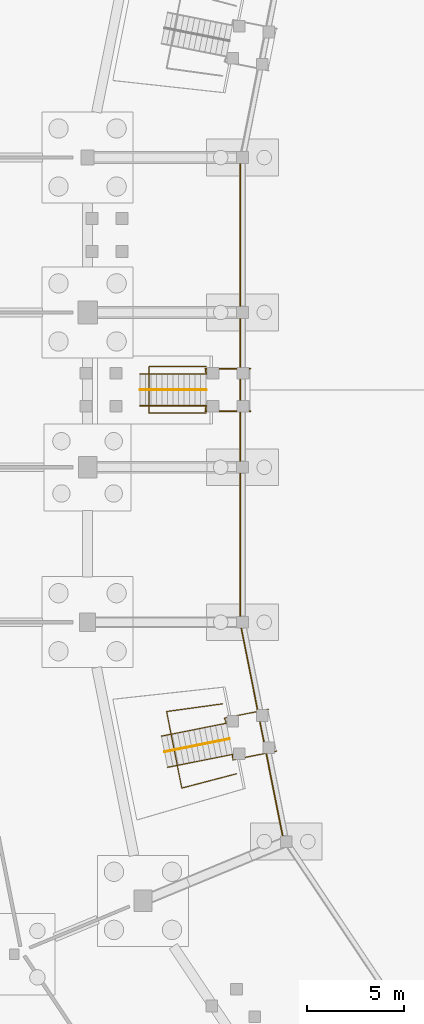
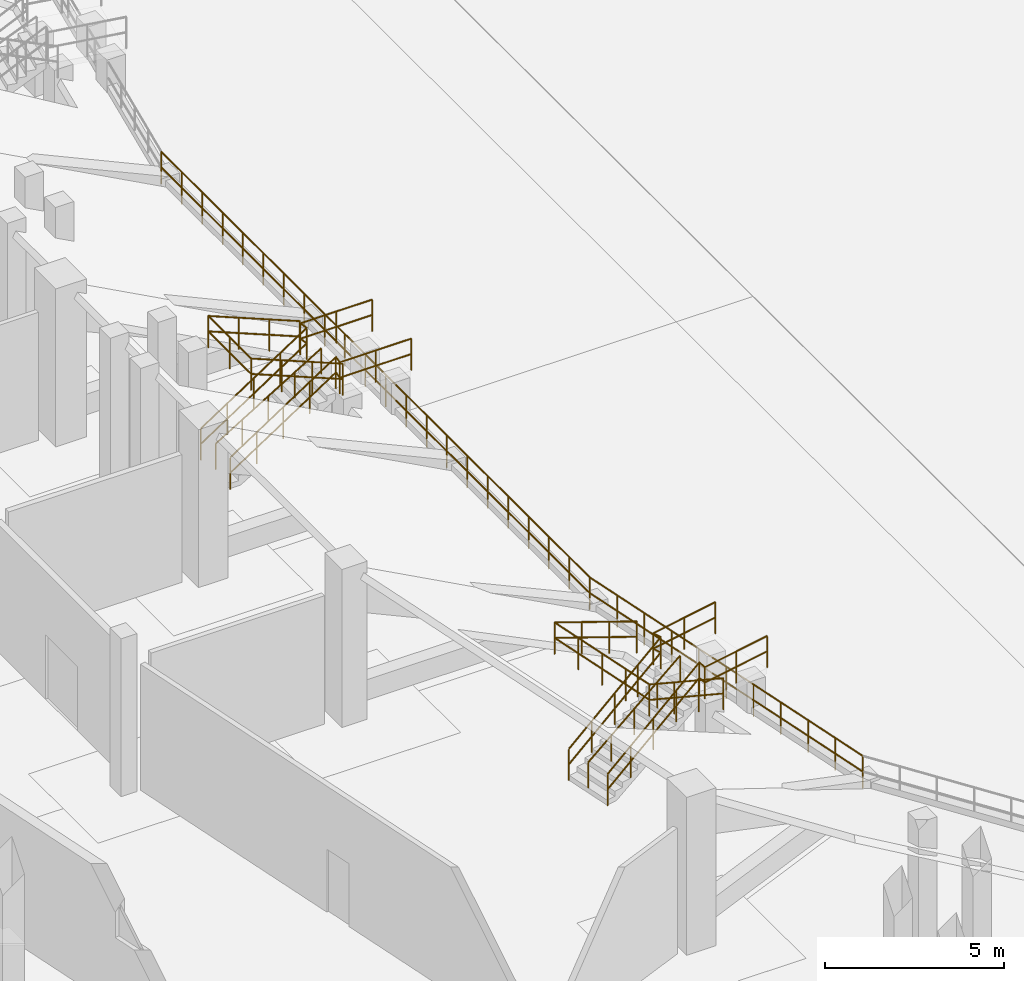
# One storey, part 53 of 68: 12 railings.
"""IFC4 building model written with IfcOpenShell, lengths in metres."""

import ifcopenshell
import ifcopenshell.guid

model = None  # the IFC model being written
_history = None  # IfcOwnerHistory: only IFC2X3 demands one
_inside = {}  # id of a spatial element -> (the spatial element, [elements in it])
_under = {}  # id of a project, library or spatial element -> (it, [spatial elements below it])
_declared = {}  # id of a project -> (the project, [libraries it declares])
_typed = {}  # id of a type object -> (the type object, [elements of that type])
_made_of = {}  # id of a material, layer set ... -> (it, [elements and type objects made of it])


def new_model(schema):
    """Start an empty IFC model of exactly this schema.

    Asked for "IFC4X3", IfcOpenShell would pick the latest addendum, in which some entities
    have other attributes; the version numbers below select the first issue.
    IFC2X3 requires an IfcOwnerHistory on every rooted entity: one is made here for all.
    """
    global model, _history
    if schema == "IFC4X3":
        model = ifcopenshell.file(schema_version=(4, 3, 0, 0))
    else:
        model = ifcopenshell.file(schema=schema)
    _inside.clear()
    _under.clear()
    _declared.clear()
    _typed.clear()
    _made_of.clear()
    _history = None
    if model.schema == "IFC2X3":
        org = make("IfcOrganization", Name="unknown")
        user = make(
            "IfcPersonAndOrganization",
            ThePerson=make("IfcPerson", FamilyName="unknown"),
            TheOrganization=org,
        )
        app = make(
            "IfcApplication",
            ApplicationDeveloper=org,
            Version="unknown",
            ApplicationFullName="unknown",
            ApplicationIdentifier="unknown",
        )
        _history = make(
            "IfcOwnerHistory",
            OwningUser=user,
            OwningApplication=app,
            ChangeAction="ADDED",
            CreationDate=0,
        )
    return model


def make(cls, **values):
    """One entity of the class cls with the attributes given. An attribute that is None is left unset."""
    return model.create_entity(
        cls, **{name: value for name, value in values.items() if value is not None}
    )


def rooted(cls, **values):
    """An entity with a GlobalId (a new one), such as an element, a storey or a relation."""
    return make(cls, GlobalId=ifcopenshell.guid.new(), OwnerHistory=_history, **values)


def si_unit(unit_type, name, prefix=None):
    """IfcSIUnit, for example si_unit("LENGTHUNIT", "METRE", prefix="MILLI")."""
    return make("IfcSIUnit", UnitType=unit_type, Prefix=prefix, Name=name)


def assignment(units):
    """IfcUnitAssignment: the units of a project."""
    return None if units is None else make("IfcUnitAssignment", Units=units)


def point(xyz):
    """IfcCartesianPoint."""
    return None if xyz is None else make("IfcCartesianPoint", Coordinates=xyz)


def direction(xyz):
    """IfcDirection."""
    return None if xyz is None else make("IfcDirection", DirectionRatios=xyz)


def frame(location, z_axis=None, x_axis=None):
    """IfcAxis2Placement3D, a coordinate frame: its origin and axes. An axis left out is left unset."""
    return make(
        "IfcAxis2Placement3D",
        Location=point(location),
        Axis=direction(z_axis),
        RefDirection=direction(x_axis),
    )


def frame_2d(location, x_axis=None):
    """IfcAxis2Placement2D, a coordinate frame in the plane: its origin and x axis."""
    return make(
        "IfcAxis2Placement2D", Location=point(location), RefDirection=direction(x_axis)
    )


def origin():
    """The frame at (0, 0, 0) with its axes left unset."""
    return frame((0.0, 0.0, 0.0))


def origin_2d():
    """The frame at (0, 0) in the plane with its x axis left unset."""
    return frame_2d((0.0, 0.0))


def place(relative_to, where):
    """IfcLocalPlacement: puts the frame where relative to a parent placement (None: the world)."""
    return make(
        "IfcLocalPlacement", PlacementRelTo=relative_to, RelativePlacement=where
    )


def context(
    kind, dimensions, precision=None, world=None, true_north=None, identifier=None
):
    """IfcGeometricRepresentationContext, for example the 3D "Model" context."""
    return make(
        "IfcGeometricRepresentationContext",
        ContextIdentifier=identifier,
        ContextType=kind,
        CoordinateSpaceDimension=dimensions,
        Precision=precision,
        WorldCoordinateSystem=world,
        TrueNorth=true_north,
    )


def subcontext(parent, identifier, kind, view, scale=None):
    """IfcGeometricRepresentationSubContext, for example "Body" below "Model"."""
    return make(
        "IfcGeometricRepresentationSubContext",
        ContextIdentifier=identifier,
        ContextType=kind,
        ParentContext=parent,
        TargetScale=scale,
        TargetView=view,
    )


def project(units=None, contexts=None):
    """IfcProject with its units and contexts."""
    return rooted(
        "IfcProject",
        Name="project",
        RepresentationContexts=contexts,
        UnitsInContext=assignment(units),
    )


def spatial(cls, under=None, at=None, **own):
    """A site, building, storey or space (cls), placed at a placement, below another one or the project."""
    s = rooted(cls, ObjectPlacement=at, **own)
    if under is not None:
        _under.setdefault(under.id(), (under, []))[1].append(s)
    return s


def profile(cls, at=None, kind="AREA", **sizes):
    """A parametric profile (cls). Its sizes go by their IFC names, for example OverallWidth=200.0."""
    return make(cls, ProfileType=kind, Position=at, **sizes)


def circle(**sizes):
    """IfcCircleProfileDef."""
    return profile("IfcCircleProfileDef", **sizes)


def extrude(swept, where, along, depth):
    """IfcExtrudedAreaSolid: the profile swept, set in the frame where, extruded along a direction by depth."""
    return make(
        "IfcExtrudedAreaSolid",
        SweptArea=swept,
        Position=where,
        ExtrudedDirection=direction(along),
        Depth=depth,
    )


def shape(context_of_items, identifier, shape_type, items):
    """IfcShapeRepresentation: the items that make up one representation, for example the "Body"."""
    return make(
        "IfcShapeRepresentation",
        ContextOfItems=context_of_items,
        RepresentationIdentifier=identifier,
        RepresentationType=shape_type,
        Items=items,
    )


def material(Name=None, Category=None):
    """IfcMaterial."""
    return make("IfcMaterial", Name=Name, Category=Category)


def layer(
    of_material, thickness, ventilated=None, Name=None, Category=None, Priority=None
):
    """IfcMaterialLayer: one layer of a wall or slab, of a material (None: an air gap)."""
    return make(
        "IfcMaterialLayer",
        Material=of_material,
        LayerThickness=thickness,
        IsVentilated=ventilated,
        Name=Name,
        Category=Category,
        Priority=Priority,
    )


def layer_set(layers, Name=None):
    """IfcMaterialLayerSet."""
    return make("IfcMaterialLayerSet", MaterialLayers=layers, LayerSetName=Name)


def made_of(thing, what):
    """Note that an element or type object is made of a material, layer set ...; save() writes the relation."""
    if what is not None:
        _made_of.setdefault(what.id(), (what, []))[1].append(thing)
    return thing


def type_object(cls, material=None, **own):
    """A type object (cls), such as IfcWallType, which elements share."""
    return made_of(rooted(cls, **own), material)


def element(
    cls,
    number,
    at=None,
    inside=None,
    cuts=None,
    type_object=None,
    material=None,
    context=None,
    identifier="Body",
    shape_type=None,
    held_by="IfcProductDefinitionShape",
    body=None,
    shapes=None,
    **own,
):
    """One element of the class cls, such as IfcWall. Its Tag is "e" and its number.

    at: its placement. inside: the storey or other place that contains it. cuts: it is an
    opening in that element (IfcRelVoidsElement). A single representation is given by context,
    identifier, shape_type and body (its items); several are given by shapes. held_by: the class
    of the entity that holds the representations. save() writes the other relations.
    """
    e = rooted(cls, Tag="e%d" % number, ObjectPlacement=at, **own)
    if body is not None:
        shapes = [shape(context, identifier, shape_type, body)]
    if shapes is not None:
        e.Representation = make(held_by, Representations=shapes)
    if inside is not None:
        _inside.setdefault(inside.id(), (inside, []))[1].append(e)
    if cuts is not None:
        rooted(
            "IfcRelVoidsElement", RelatingBuildingElement=cuts, RelatedOpeningElement=e
        )
    if type_object is not None:
        _typed.setdefault(type_object.id(), (type_object, []))[1].append(e)
    return made_of(e, material)


def aggregate(whole, parts):
    """IfcRelAggregates: a whole, such as a stair, and the parts it consists of."""
    return rooted("IfcRelAggregates", RelatingObject=whole, RelatedObjects=parts)


def save(model, path):
    """Write the relations noted so far, then the file.

    IfcRelAggregates (storeys below a building ...), IfcRelContainedInSpatialStructure (elements
    in a storey), IfcRelDefinesByType, IfcRelAssociatesMaterial and IfcRelDeclares: one each for
    every whole, place, type object, material and project.
    """
    for whole, parts in _under.values():
        aggregate(whole, parts)
    for where, things in _inside.values():
        rooted(
            "IfcRelContainedInSpatialStructure",
            RelatedElements=things,
            RelatingStructure=where,
        )
    for kind, things in _typed.values():
        rooted("IfcRelDefinesByType", RelatedObjects=things, RelatingType=kind)
    for what, things in _made_of.values():
        rooted("IfcRelAssociatesMaterial", RelatedObjects=things, RelatingMaterial=what)
    for by, libraries in _declared.values():
        rooted("IfcRelDeclares", RelatingContext=by, RelatedDefinitions=libraries)
    model.write(path)


model = new_model("IFC4")

# Units and contexts
model_context = context("Model", 3, precision=1e-05, world=origin(), true_north=direction((0.0, 1.0)))
body_context = subcontext(model_context, "Body", "Model", "MODEL_VIEW")
ifc_project = project(units=[si_unit("LENGTHUNIT", "METRE"), si_unit("AREAUNIT", "SQUARE_METRE"), si_unit("VOLUMEUNIT", "CUBIC_METRE"), si_unit("PLANEANGLEUNIT", "RADIAN"), si_unit("MASSUNIT", "GRAM", prefix="KILO")], contexts=[model_context])

# Site, building, storey
site_placement = place(None, origin())
site = spatial("IfcSite", under=ifc_project, at=site_placement, CompositionType="ELEMENT")
building_placement = place(site_placement, origin())
building = spatial("IfcBuilding", under=site, at=building_placement, Name="Candeia Ridge Stadium", CompositionType="ELEMENT")
storey_placement = place(building_placement, origin())
storey = spatial("IfcBuildingStorey", under=building, at=storey_placement, Name="L00", CompositionType="ELEMENT", Elevation=0.0)

# Railings
ifc_material_1 = material(Name="Galvanized Powder-Coated Steel", Category="steel")
ifc_layer_1 = layer(ifc_material_1, 0.074951171875, Name="Galvanized Powder-Coated Steel", Category="steel")
ifc_layer_set_1 = layer_set([ifc_layer_1], Name="Galvanized Powder-Coated Steel")
railing_type_1 = type_object("IfcRailingType", Name="Spectator Bowl Front Guardrail 1120", PredefinedType="GUARDRAIL", material=ifc_layer_set_1)
for number, where, name in (
    (1, (41.280029296875, 95.0, 0.85009765625), "Stand T1 front safety guardrail bay 12"),
    (2, (41.280029296875, 87.0, 0.85009765625), "Stand T1 front safety guardrail bay 13"),
    (3, (41.280029296875, 79.0, 0.85009765625), "Stand T1 front safety guardrail bay 14"),
):
    element("IfcRailing", number, at=place(storey_placement, frame(where)), inside=storey, type_object=railing_type_1, Name=name, PredefinedType="GUARDRAIL", context=body_context, shape_type="SweptSolid", body=[
        extrude(circle(Radius=0.02392578125, at=origin_2d()), frame((0.0, 0.0, 1.09619140625), z_axis=(0.0, -1.0, 0.0), x_axis=(1.0, 0.0, 0.0)), (0.0, 0.0, 1.0), 8.0),
        extrude(circle(Radius=0.02392578125, at=origin_2d()), frame((0.0, 0.0, 0.56005859375), z_axis=(0.0, -1.0, 0.0), x_axis=(1.0, 0.0, 0.0)), (0.0, 0.0, 1.0), 8.0),
        extrude(circle(Radius=0.02099609375, at=origin_2d()), origin(), (0.0, 0.0, 1.0), 1.072021484375),
        extrude(circle(Radius=0.02099609375, at=origin_2d()), frame((0.0, -1.142822265625, 0.0)), (0.0, 0.0, 1.0), 1.072021484375),
        extrude(circle(Radius=0.02099609375, at=origin_2d()), frame((0.0, -2.28564453125, 0.0)), (0.0, 0.0, 1.0), 1.072021484375),
        extrude(circle(Radius=0.02099609375, at=origin_2d()), frame((0.0, -3.428466796875, 0.0)), (0.0, 0.0, 1.0), 1.072021484375),
        extrude(circle(Radius=0.02099609375, at=origin_2d()), frame((0.0, -4.571533203125, 0.0)), (0.0, 0.0, 1.0), 1.072021484375),
        extrude(circle(Radius=0.02099609375, at=origin_2d()), frame((0.0, -5.71435546875, 0.0)), (0.0, 0.0, 1.0), 1.072021484375),
        extrude(circle(Radius=0.02099609375, at=origin_2d()), frame((0.0, -6.857177734375, 0.0)), (0.0, 0.0, 1.0), 1.072021484375),
        extrude(circle(Radius=0.02099609375, at=origin_2d()), frame((0.0, -8.0, 0.0)), (0.0, 0.0, 1.0), 1.072021484375),
    ])
railing_1_placement = place(storey_placement, frame((41.280029296875, 71.0, 0.85009765625)))
element("IfcRailing", 4, at=railing_1_placement, inside=storey, type_object=railing_type_1, Name="Stand T1 front safety guardrail bay 15", PredefinedType="GUARDRAIL", context=body_context, shape_type="SweptSolid", body=[
    extrude(circle(Radius=0.02392578125, at=origin_2d()), frame((0.0, 0.0, 1.09619140625), z_axis=(0.19508358537, -0.980786620381, 0.0), x_axis=(0.980786620381, 0.19508358537, 0.0)), (0.0, 0.0, 1.0), 11.59619140625),
    extrude(circle(Radius=0.02392578125, at=origin_2d()), frame((0.0, 0.0, 0.56005859375), z_axis=(0.19508358537, -0.980786620381, 0.0), x_axis=(0.980786620381, 0.19508358537, 0.0)), (0.0, 0.0, 1.0), 11.59619140625),
    extrude(circle(Radius=0.02099609375, at=origin_2d()), origin(), (0.0, 0.0, 1.0), 1.072021484375),
    extrude(circle(Radius=0.02099609375, at=origin_2d()), frame((0.226318359375, -1.13720703125, 0.0)), (0.0, 0.0, 1.0), 1.072021484375),
    extrude(circle(Radius=0.02099609375, at=origin_2d()), frame((0.452392578125, -2.274658203125, 0.0)), (0.0, 0.0, 1.0), 1.072021484375),
    extrude(circle(Radius=0.02099609375, at=origin_2d()), frame((0.6787109375, -3.412109375, 0.0)), (0.0, 0.0, 1.0), 1.072021484375),
    extrude(circle(Radius=0.02099609375, at=origin_2d()), frame((0.90478515625, -4.54931640625, 0.0)), (0.0, 0.0, 1.0), 1.072021484375),
    extrude(circle(Radius=0.02099609375, at=origin_2d()), frame((1.131103515625, -5.6865234375, 0.0)), (0.0, 0.0, 1.0), 1.072021484375),
    extrude(circle(Radius=0.02099609375, at=origin_2d()), frame((1.357421875, -6.823974609375, 0.0)), (0.0, 0.0, 1.0), 1.072021484375),
    extrude(circle(Radius=0.02099609375, at=origin_2d()), frame((1.58349609375, -7.961181640625, 0.0)), (0.0, 0.0, 1.0), 1.072021484375),
    extrude(circle(Radius=0.02099609375, at=origin_2d()), frame((1.809814453125, -9.0986328125, 0.0)), (0.0, 0.0, 1.0), 1.072021484375),
    extrude(circle(Radius=0.02099609375, at=origin_2d()), frame((2.035888671875, -10.23583984375, 0.0)), (0.0, 0.0, 1.0), 1.072021484375),
    extrude(circle(Radius=0.02099609375, at=origin_2d()), frame((2.26220703125, -11.373291015625, 0.0)), (0.0, 0.0, 1.0), 1.072021484375),
])
ifc_material_2 = material(Name="Brushed Stainless Steel", Category="steel")
ifc_layer_2 = layer(ifc_material_2, 0.048095703125, Name="Brushed Stainless Steel", Category="steel")
ifc_layer_set_2 = layer_set([ifc_layer_2], Name="Brushed Stainless Steel")
railing_type_2 = type_object("IfcRailingType", Name="Stair Wall & Flight Handrail 900", PredefinedType="HANDRAIL", material=ifc_layer_set_2)
railing_2_placement = place(storey_placement, frame((36.10791015625, 83.0, 0.17236328125)))
element("IfcRailing", 5, at=railing_2_placement, inside=storey, type_object=railing_type_2, Name="Vomitory stair handrail VS07", PredefinedType="HANDRAIL", context=body_context, shape_type="SweptSolid", body=[
    extrude(circle(Radius=0.02392578125, at=origin_2d()), frame((0.0, 0.0, 0.8759765625), z_axis=(0.855774125036, 0.0, 0.517349637014), x_axis=(0.0, 1.0, 0.0)), (0.0, 0.0, 1.0), 3.99658203125),
    extrude(circle(Radius=0.02099609375, at=origin_2d()), origin(), (0.0, 0.0, 1.0), 0.851806640625),
    extrude(circle(Radius=0.02099609375, at=origin_2d()), frame((0.85498046875, 0.0, 0.516845703125)), (0.0, 0.0, 1.0), 0.851806640625),
    extrude(circle(Radius=0.02099609375, at=origin_2d()), frame((1.7099609375, 0.0, 1.03369140625)), (0.0, 0.0, 1.0), 0.851806640625),
    extrude(circle(Radius=0.02099609375, at=origin_2d()), frame((2.565185546875, 0.0, 1.55078125)), (0.0, 0.0, 1.0), 0.851806640625),
    extrude(circle(Radius=0.02099609375, at=origin_2d()), frame((3.420166015625, 0.0, 2.067626953125)), (0.0, 0.0, 1.0), 0.851806640625),
])
railing_3_placement = place(storey_placement, frame((37.37158203125, 64.310791015625, 0.17236328125)))
element("IfcRailing", 6, at=railing_3_placement, inside=storey, type_object=railing_type_2, Name="Vomitory stair handrail VS08", PredefinedType="HANDRAIL", context=body_context, shape_type="SweptSolid", body=[
    extrude(circle(Radius=0.02392578125, at=origin_2d()), frame((0.0, 0.0, 0.8759765625), z_axis=(0.839316016978, 0.166959070849, 0.517371522511), x_axis=(-0.195100140729, 0.980783327289, 0.0)), (0.0, 0.0, 1.0), 3.996337890625),
    extrude(circle(Radius=0.02099609375, at=origin_2d()), origin(), (0.0, 0.0, 1.0), 0.851806640625),
    extrude(circle(Radius=0.02099609375, at=origin_2d()), frame((0.838623046875, 0.166748046875, 0.516845703125)), (0.0, 0.0, 1.0), 0.851806640625),
    extrude(circle(Radius=0.02099609375, at=origin_2d()), frame((1.67724609375, 0.33349609375, 1.03369140625)), (0.0, 0.0, 1.0), 0.851806640625),
    extrude(circle(Radius=0.02099609375, at=origin_2d()), frame((2.515625, 0.50048828125, 1.55078125)), (0.0, 0.0, 1.0), 0.851806640625),
    extrude(circle(Radius=0.02099609375, at=origin_2d()), frame((3.354248046875, 0.667236328125, 2.067626953125)), (0.0, 0.0, 1.0), 0.851806640625),
])
ifc_layer_3 = layer(ifc_material_1, 0.070068359375, Name="Galvanized Powder-Coated Steel", Category="steel")
ifc_layer_set_3 = layer_set([ifc_layer_3], Name="Galvanized Powder-Coated Steel")
railing_type_3 = type_object("IfcRailingType", Name="Vomitory Portal Guardrail 1100", PredefinedType="GUARDRAIL", material=ifc_layer_set_3)
railing_4_placement = place(storey_placement, frame((39.528076171875, 84.199951171875, 2.239990234375)))
element("IfcRailing", 7, at=railing_4_placement, inside=storey, type_object=railing_type_3, Name="Vomitory portal guardrail VS07", PredefinedType="GUARDRAIL", context=body_context, shape_type="SweptSolid", body=[
    extrude(circle(Radius=0.02392578125, at=origin_2d()), frame((0.0, 0.0, 1.076171875), z_axis=(-0.92538053309, 0.0, 0.379039402937), x_axis=(0.0, -1.0, 0.0)), (0.0, 0.0, 1.0), 3.203125),
    extrude(circle(Radius=0.02392578125, at=origin_2d()), frame((0.0, 0.0, 0.550048828125), z_axis=(-0.92538053309, 0.0, 0.379039402937), x_axis=(0.0, -1.0, 0.0)), (0.0, 0.0, 1.0), 3.203125),
    extrude(circle(Radius=0.02392578125, at=origin_2d()), frame((-2.964111328125, 0.0, 2.2900390625), z_axis=(0.0, -1.0, 0.0), x_axis=(1.0, 0.0, 0.0)), (0.0, 0.0, 1.0), 2.39990234375),
    extrude(circle(Radius=0.02392578125, at=origin_2d()), frame((-2.964111328125, 0.0, 1.76416015625), z_axis=(0.0, -1.0, 0.0), x_axis=(1.0, 0.0, 0.0)), (0.0, 0.0, 1.0), 2.39990234375),
    extrude(circle(Radius=0.02392578125, at=origin_2d()), frame((-2.964111328125, -2.39990234375, 2.2900390625), z_axis=(0.92538053309, 0.0, -0.379039402937), x_axis=(0.0, 1.0, 0.0)), (0.0, 0.0, 1.0), 3.203125),
    extrude(circle(Radius=0.02392578125, at=origin_2d()), frame((-2.964111328125, -2.39990234375, 1.76416015625), z_axis=(0.92538053309, 0.0, -0.379039402937), x_axis=(0.0, 1.0, 0.0)), (0.0, 0.0, 1.0), 3.203125),
    extrude(circle(Radius=0.02099609375, at=origin_2d()), origin(), (0.0, 0.0, 1.0), 1.052001953125),
    extrude(circle(Radius=0.02099609375, at=origin_2d()), frame((-0.988037109375, 0.0, 0.40478515625)), (0.0, 0.0, 1.0), 1.052001953125),
    extrude(circle(Radius=0.02099609375, at=origin_2d()), frame((-1.97607421875, 0.0, 0.809326171875)), (0.0, 0.0, 1.0), 1.052001953125),
    extrude(circle(Radius=0.02099609375, at=origin_2d()), frame((-2.964111328125, 0.0, 1.214111328125)), (0.0, 0.0, 1.0), 1.052001953125),
    extrude(circle(Radius=0.02099609375, at=origin_2d()), frame((-2.964111328125, -1.199951171875, 1.214111328125)), (0.0, 0.0, 1.0), 1.052001953125),
    extrude(circle(Radius=0.02099609375, at=origin_2d()), frame((-2.964111328125, -2.39990234375, 1.214111328125)), (0.0, 0.0, 1.0), 1.052001953125),
    extrude(circle(Radius=0.02099609375, at=origin_2d()), frame((-1.97607421875, -2.39990234375, 0.809326171875)), (0.0, 0.0, 1.0), 1.052001953125),
    extrude(circle(Radius=0.02099609375, at=origin_2d()), frame((-0.988037109375, -2.39990234375, 0.40478515625)), (0.0, 0.0, 1.0), 1.052001953125),
    extrude(circle(Radius=0.02099609375, at=origin_2d()), frame((0.0, -2.39990234375, 0.0)), (0.0, 0.0, 1.0), 1.052001953125),
])
railing_5_placement = place(storey_placement, frame((36.10791015625, 83.820068359375, 0.0)))
element("IfcRailing", 8, at=railing_5_placement, inside=storey, type_object=railing_type_3, Name="Vomitory stair & landing side guardrail VS07-L", PredefinedType="GUARDRAIL", context=body_context, shape_type="SweptSolid", body=[
    extrude(circle(Radius=0.02392578125, at=origin_2d()), frame((0.0, 0.0, 1.076171875), z_axis=(0.836551734384, 0.0, 0.547887940822), x_axis=(0.0, 1.0, 0.0)), (0.0, 0.0, 1.0), 4.08837890625),
    extrude(circle(Radius=0.02392578125, at=origin_2d()), frame((0.0, 0.0, 0.550048828125), z_axis=(0.836551734384, 0.0, 0.547887940822), x_axis=(0.0, 1.0, 0.0)), (0.0, 0.0, 1.0), 4.08837890625),
    extrude(circle(Radius=0.02392578125, at=origin_2d()), frame((3.420166015625, 0.0, 3.31591796875), z_axis=(-0.141542183877, 0.989932225045, 0.0), x_axis=(-0.989932225045, -0.141542183877, 0.0)), (0.0, 0.0, 1.0), 0.282958984375),
    extrude(circle(Radius=0.02392578125, at=origin_2d()), frame((3.420166015625, 0.0, 2.7900390625), z_axis=(-0.141542183877, 0.989932225045, 0.0), x_axis=(-0.989932225045, -0.141542183877, 0.0)), (0.0, 0.0, 1.0), 0.282958984375),
    extrude(circle(Radius=0.02392578125, at=origin_2d()), frame((3.380126953125, 0.280029296875, 3.31591796875), z_axis=(1.0, 0.0, 0.0), x_axis=(0.0, 1.0, 0.0)), (0.0, 0.0, 1.0), 2.320068359375),
    extrude(circle(Radius=0.02392578125, at=origin_2d()), frame((3.380126953125, 0.280029296875, 2.7900390625), z_axis=(1.0, 0.0, 0.0), x_axis=(0.0, 1.0, 0.0)), (0.0, 0.0, 1.0), 2.320068359375),
    extrude(circle(Radius=0.02099609375, at=origin_2d()), origin(), (0.0, 0.0, 1.0), 1.052001953125),
    extrude(circle(Radius=0.02099609375, at=origin_2d()), frame((0.85498046875, 0.0, 0.56005859375)), (0.0, 0.0, 1.0), 1.052001953125),
    extrude(circle(Radius=0.02099609375, at=origin_2d()), frame((1.7099609375, 0.0, 1.1201171875)), (0.0, 0.0, 1.0), 1.052001953125),
    extrude(circle(Radius=0.02099609375, at=origin_2d()), frame((2.565185546875, 0.0, 1.679931640625)), (0.0, 0.0, 1.0), 1.052001953125),
    extrude(circle(Radius=0.02099609375, at=origin_2d()), frame((3.420166015625, 0.0, 2.239990234375)), (0.0, 0.0, 1.0), 1.052001953125),
    extrude(circle(Radius=0.02099609375, at=origin_2d()), frame((3.380126953125, 0.280029296875, 2.239990234375)), (0.0, 0.0, 1.0), 1.052001953125),
    extrude(circle(Radius=0.02099609375, at=origin_2d()), frame((4.5400390625, 0.280029296875, 2.239990234375)), (0.0, 0.0, 1.0), 1.052001953125),
    extrude(circle(Radius=0.02099609375, at=origin_2d()), frame((5.7001953125, 0.280029296875, 2.239990234375)), (0.0, 0.0, 1.0), 1.052001953125),
])
railing_6_placement = place(storey_placement, frame((36.10791015625, 82.179931640625, 0.0)))
element("IfcRailing", 9, at=railing_6_placement, inside=storey, type_object=railing_type_3, Name="Vomitory stair & landing side guardrail VS07-R", PredefinedType="GUARDRAIL", context=body_context, shape_type="SweptSolid", body=[
    extrude(circle(Radius=0.02392578125, at=origin_2d()), frame((0.0, 0.0, 1.076171875), z_axis=(0.836551734384, 0.0, 0.547887940822), x_axis=(0.0, 1.0, 0.0)), (0.0, 0.0, 1.0), 4.08837890625),
    extrude(circle(Radius=0.02392578125, at=origin_2d()), frame((0.0, 0.0, 0.550048828125), z_axis=(0.836551734384, 0.0, 0.547887940822), x_axis=(0.0, 1.0, 0.0)), (0.0, 0.0, 1.0), 4.08837890625),
    extrude(circle(Radius=0.02392578125, at=origin_2d()), frame((3.420166015625, 0.0, 3.31591796875), z_axis=(-0.141542183877, -0.989932225045, 0.0), x_axis=(0.989932225045, -0.141542183877, 0.0)), (0.0, 0.0, 1.0), 0.282958984375),
    extrude(circle(Radius=0.02392578125, at=origin_2d()), frame((3.420166015625, 0.0, 2.7900390625), z_axis=(-0.141542183877, -0.989932225045, 0.0), x_axis=(0.989932225045, -0.141542183877, 0.0)), (0.0, 0.0, 1.0), 0.282958984375),
    extrude(circle(Radius=0.02392578125, at=origin_2d()), frame((3.380126953125, -0.280029296875, 3.31591796875), z_axis=(1.0, 0.0, 0.0), x_axis=(0.0, 1.0, 0.0)), (0.0, 0.0, 1.0), 2.320068359375),
    extrude(circle(Radius=0.02392578125, at=origin_2d()), frame((3.380126953125, -0.280029296875, 2.7900390625), z_axis=(1.0, 0.0, 0.0), x_axis=(0.0, 1.0, 0.0)), (0.0, 0.0, 1.0), 2.320068359375),
    extrude(circle(Radius=0.02099609375, at=origin_2d()), origin(), (0.0, 0.0, 1.0), 1.052001953125),
    extrude(circle(Radius=0.02099609375, at=origin_2d()), frame((0.85498046875, 0.0, 0.56005859375)), (0.0, 0.0, 1.0), 1.052001953125),
    extrude(circle(Radius=0.02099609375, at=origin_2d()), frame((1.7099609375, 0.0, 1.1201171875)), (0.0, 0.0, 1.0), 1.052001953125),
    extrude(circle(Radius=0.02099609375, at=origin_2d()), frame((2.565185546875, 0.0, 1.679931640625)), (0.0, 0.0, 1.0), 1.052001953125),
    extrude(circle(Radius=0.02099609375, at=origin_2d()), frame((3.420166015625, 0.0, 2.239990234375)), (0.0, 0.0, 1.0), 1.052001953125),
    extrude(circle(Radius=0.02099609375, at=origin_2d()), frame((3.380126953125, -0.280029296875, 2.239990234375)), (0.0, 0.0, 1.0), 1.052001953125),
    extrude(circle(Radius=0.02099609375, at=origin_2d()), frame((4.5400390625, -0.280029296875, 2.239990234375)), (0.0, 0.0, 1.0), 1.052001953125),
    extrude(circle(Radius=0.02099609375, at=origin_2d()), frame((5.7001953125, -0.280029296875, 2.239990234375)), (0.0, 0.0, 1.0), 1.052001953125),
])
railing_7_placement = place(storey_placement, frame((40.366455078125, 66.78466796875, 2.239990234375)))
element("IfcRailing", 10, at=railing_7_placement, inside=storey, type_object=railing_type_3, Name="Vomitory portal guardrail VS08", PredefinedType="GUARDRAIL", context=body_context, shape_type="SweptSolid", body=[
    extrude(circle(Radius=0.02392578125, at=origin_2d()), frame((0.0, 0.0, 1.076171875), z_axis=(-0.914382854834, -0.125817595156, 0.384803751975), x_axis=(0.136313988444, -0.990665683545, 0.0)), (0.0, 0.0, 1.0), 3.155029296875),
    extrude(circle(Radius=0.02392578125, at=origin_2d()), frame((0.0, 0.0, 0.550048828125), z_axis=(-0.914382854834, -0.125817595156, 0.384803751975), x_axis=(0.136313988444, -0.990665683545, 0.0)), (0.0, 0.0, 1.0), 3.155029296875),
    extrude(circle(Radius=0.02392578125, at=origin_2d()), frame((-2.885009765625, -0.39697265625, 2.2900390625), z_axis=(0.195079434576, -0.980787445987, 0.0), x_axis=(0.980787445987, 0.195079434576, 0.0)), (0.0, 0.0, 1.0), 4.031005859375),
    extrude(circle(Radius=0.02392578125, at=origin_2d()), frame((-2.885009765625, -0.39697265625, 1.76416015625), z_axis=(0.195079434576, -0.980787445987, 0.0), x_axis=(0.980787445987, 0.195079434576, 0.0)), (0.0, 0.0, 1.0), 4.031005859375),
    extrude(circle(Radius=0.02392578125, at=origin_2d()), frame((-2.0986328125, -4.3505859375, 2.2900390625), z_axis=(0.892931247638, 0.23367871472, -0.384796108709), x_axis=(-0.253172599664, 0.96742112587, 0.0)), (0.0, 0.0, 1.0), 3.1552734375),
    extrude(circle(Radius=0.02392578125, at=origin_2d()), frame((-2.0986328125, -4.3505859375, 1.76416015625), z_axis=(0.892931247638, 0.23367871472, -0.384796108709), x_axis=(-0.253172599664, 0.96742112587, 0.0)), (0.0, 0.0, 1.0), 3.1552734375),
    extrude(circle(Radius=0.02099609375, at=origin_2d()), origin(), (0.0, 0.0, 1.0), 1.052001953125),
    extrude(circle(Radius=0.02099609375, at=origin_2d()), frame((-0.961669921875, -0.13232421875, 0.40478515625)), (0.0, 0.0, 1.0), 1.052001953125),
    extrude(circle(Radius=0.02099609375, at=origin_2d()), frame((-1.92333984375, -0.2646484375, 0.809326171875)), (0.0, 0.0, 1.0), 1.052001953125),
    extrude(circle(Radius=0.02099609375, at=origin_2d()), frame((-2.885009765625, -0.39697265625, 1.214111328125)), (0.0, 0.0, 1.0), 1.052001953125),
    extrude(circle(Radius=0.02099609375, at=origin_2d()), frame((-2.6884765625, -1.38525390625, 1.214111328125)), (0.0, 0.0, 1.0), 1.052001953125),
    extrude(circle(Radius=0.02099609375, at=origin_2d()), frame((-2.49169921875, -2.373779296875, 1.214111328125)), (0.0, 0.0, 1.0), 1.052001953125),
    extrude(circle(Radius=0.02099609375, at=origin_2d()), frame((-2.295166015625, -3.3623046875, 1.214111328125)), (0.0, 0.0, 1.0), 1.052001953125),
    extrude(circle(Radius=0.02099609375, at=origin_2d()), frame((-2.0986328125, -4.3505859375, 1.214111328125)), (0.0, 0.0, 1.0), 1.052001953125),
    extrude(circle(Radius=0.02099609375, at=origin_2d()), frame((-1.159423828125, -4.104736328125, 0.809326171875)), (0.0, 0.0, 1.0), 1.052001953125),
    extrude(circle(Radius=0.02099609375, at=origin_2d()), frame((-0.220458984375, -3.859130859375, 0.40478515625)), (0.0, 0.0, 1.0), 1.052001953125),
    extrude(circle(Radius=0.02099609375, at=origin_2d()), frame((0.71875, -3.61328125, 0.0)), (0.0, 0.0, 1.0), 1.052001953125),
])
railing_8_placement = place(storey_placement, frame((37.211669921875, 65.114990234375, 0.0)))
element("IfcRailing", 11, at=railing_8_placement, inside=storey, type_object=railing_type_3, Name="Vomitory stair & landing side guardrail VS08-L", PredefinedType="GUARDRAIL", context=body_context, shape_type="SweptSolid", body=[
    extrude(circle(Radius=0.02392578125, at=origin_2d()), frame((0.0, 0.0, 1.076171875), z_axis=(0.820461766456, 0.163208531023, 0.547910088597), x_axis=(-0.195100140729, 0.980783327289, 0.0)), (0.0, 0.0, 1.0), 4.088134765625),
    extrude(circle(Radius=0.02392578125, at=origin_2d()), frame((0.0, 0.0, 0.550048828125), z_axis=(0.820461766456, 0.163208531023, 0.547910088597), x_axis=(-0.195100140729, 0.980783327289, 0.0)), (0.0, 0.0, 1.0), 4.088134765625),
    extrude(circle(Radius=0.02392578125, at=origin_2d()), frame((3.354248046875, 0.667236328125, 3.31591796875), z_axis=(-0.331963044739, 0.943292392065, 0.0), x_axis=(-0.943292392065, -0.331963044739, 0.0)), (0.0, 0.0, 1.0), 0.283203125),
    extrude(circle(Radius=0.02392578125, at=origin_2d()), frame((3.354248046875, 0.667236328125, 2.7900390625), z_axis=(-0.331963044739, 0.943292392065, 0.0), x_axis=(-0.943292392065, -0.331963044739, 0.0)), (0.0, 0.0, 1.0), 0.283203125),
    extrude(circle(Radius=0.02392578125, at=origin_2d()), frame((3.26025390625, 0.934326171875, 3.31591796875), z_axis=(0.980802659281, 0.195002932151, 0.0), x_axis=(-0.195002932151, 0.980802659281, 0.0)), (0.0, 0.0, 1.0), 2.31982421875),
    extrude(circle(Radius=0.02392578125, at=origin_2d()), frame((3.26025390625, 0.934326171875, 2.7900390625), z_axis=(0.980802659281, 0.195002932151, 0.0), x_axis=(-0.195002932151, 0.980802659281, 0.0)), (0.0, 0.0, 1.0), 2.31982421875),
    extrude(circle(Radius=0.02099609375, at=origin_2d()), origin(), (0.0, 0.0, 1.0), 1.052001953125),
    extrude(circle(Radius=0.02099609375, at=origin_2d()), frame((0.838623046875, 0.166748046875, 0.56005859375)), (0.0, 0.0, 1.0), 1.052001953125),
    extrude(circle(Radius=0.02099609375, at=origin_2d()), frame((1.67724609375, 0.33349609375, 1.1201171875)), (0.0, 0.0, 1.0), 1.052001953125),
    extrude(circle(Radius=0.02099609375, at=origin_2d()), frame((2.515625, 0.50048828125, 1.679931640625)), (0.0, 0.0, 1.0), 1.052001953125),
    extrude(circle(Radius=0.02099609375, at=origin_2d()), frame((3.354248046875, 0.667236328125, 2.239990234375)), (0.0, 0.0, 1.0), 1.052001953125),
    extrude(circle(Radius=0.02099609375, at=origin_2d()), frame((3.26025390625, 0.934326171875, 2.239990234375)), (0.0, 0.0, 1.0), 1.052001953125),
    extrude(circle(Radius=0.02099609375, at=origin_2d()), frame((4.39794921875, 1.16064453125, 2.239990234375)), (0.0, 0.0, 1.0), 1.052001953125),
    extrude(circle(Radius=0.02099609375, at=origin_2d()), frame((5.53564453125, 1.38671875, 2.239990234375)), (0.0, 0.0, 1.0), 1.052001953125),
])
railing_9_placement = place(storey_placement, frame((37.531494140625, 63.506591796875, 0.0)))
element("IfcRailing", 12, at=railing_9_placement, inside=storey, type_object=railing_type_3, Name="Vomitory stair & landing side guardrail VS08-R", PredefinedType="GUARDRAIL", context=body_context, shape_type="SweptSolid", body=[
    extrude(circle(Radius=0.02392578125, at=origin_2d()), frame((0.0, 0.0, 1.076171875), z_axis=(0.820461766456, 0.163208531023, 0.547910088597), x_axis=(-0.195100140729, 0.980783327289, 0.0)), (0.0, 0.0, 1.0), 4.088134765625),
    extrude(circle(Radius=0.02392578125, at=origin_2d()), frame((0.0, 0.0, 0.550048828125), z_axis=(0.820461766456, 0.163208531023, 0.547910088597), x_axis=(-0.195100140729, 0.980783327289, 0.0)), (0.0, 0.0, 1.0), 4.088134765625),
    extrude(circle(Radius=0.02392578125, at=origin_2d()), frame((3.354248046875, 0.667236328125, 3.31591796875), z_axis=(0.054370623932, -0.998520823645, 0.0), x_axis=(0.998520823645, 0.054370623932, 0.0)), (0.0, 0.0, 1.0), 0.282958984375),
    extrude(circle(Radius=0.02392578125, at=origin_2d()), frame((3.354248046875, 0.667236328125, 2.7900390625), z_axis=(0.054370623932, -0.998520823645, 0.0), x_axis=(0.998520823645, 0.054370623932, 0.0)), (0.0, 0.0, 1.0), 0.282958984375),
    extrude(circle(Radius=0.02392578125, at=origin_2d()), frame((3.36962890625, 0.384765625, 3.31591796875), z_axis=(0.980782527032, 0.195104163639, 0.0), x_axis=(-0.195104163639, 0.980782527032, 0.0)), (0.0, 0.0, 1.0), 2.320068359375),
    extrude(circle(Radius=0.02392578125, at=origin_2d()), frame((3.36962890625, 0.384765625, 2.7900390625), z_axis=(0.980782527032, 0.195104163639, 0.0), x_axis=(-0.195104163639, 0.980782527032, 0.0)), (0.0, 0.0, 1.0), 2.320068359375),
    extrude(circle(Radius=0.02099609375, at=origin_2d()), origin(), (0.0, 0.0, 1.0), 1.052001953125),
    extrude(circle(Radius=0.02099609375, at=origin_2d()), frame((0.838623046875, 0.166748046875, 0.56005859375)), (0.0, 0.0, 1.0), 1.052001953125),
    extrude(circle(Radius=0.02099609375, at=origin_2d()), frame((1.67724609375, 0.33349609375, 1.1201171875)), (0.0, 0.0, 1.0), 1.052001953125),
    extrude(circle(Radius=0.02099609375, at=origin_2d()), frame((2.515625, 0.50048828125, 1.679931640625)), (0.0, 0.0, 1.0), 1.052001953125),
    extrude(circle(Radius=0.02099609375, at=origin_2d()), frame((3.354248046875, 0.667236328125, 2.239990234375)), (0.0, 0.0, 1.0), 1.052001953125),
    extrude(circle(Radius=0.02099609375, at=origin_2d()), frame((3.36962890625, 0.384765625, 2.239990234375)), (0.0, 0.0, 1.0), 1.052001953125),
    extrude(circle(Radius=0.02099609375, at=origin_2d()), frame((4.50732421875, 0.611083984375, 2.239990234375)), (0.0, 0.0, 1.0), 1.052001953125),
    extrude(circle(Radius=0.02099609375, at=origin_2d()), frame((5.64501953125, 0.83740234375, 2.239990234375)), (0.0, 0.0, 1.0), 1.052001953125),
])

save(model, "model.ifc")
